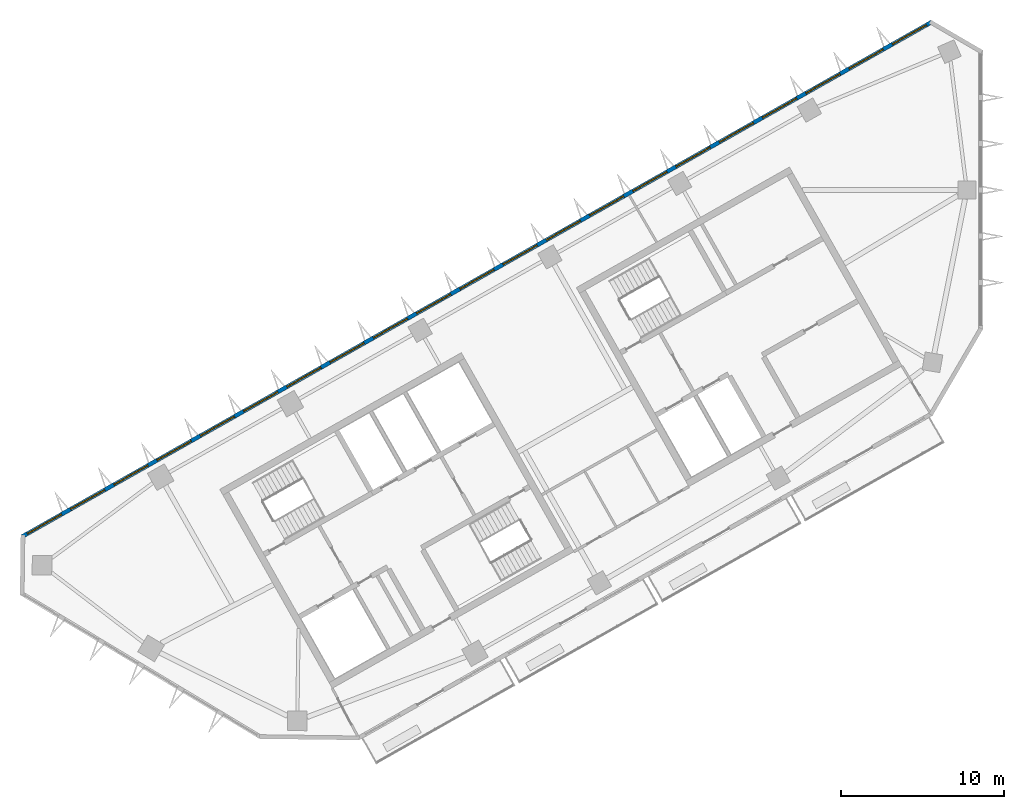
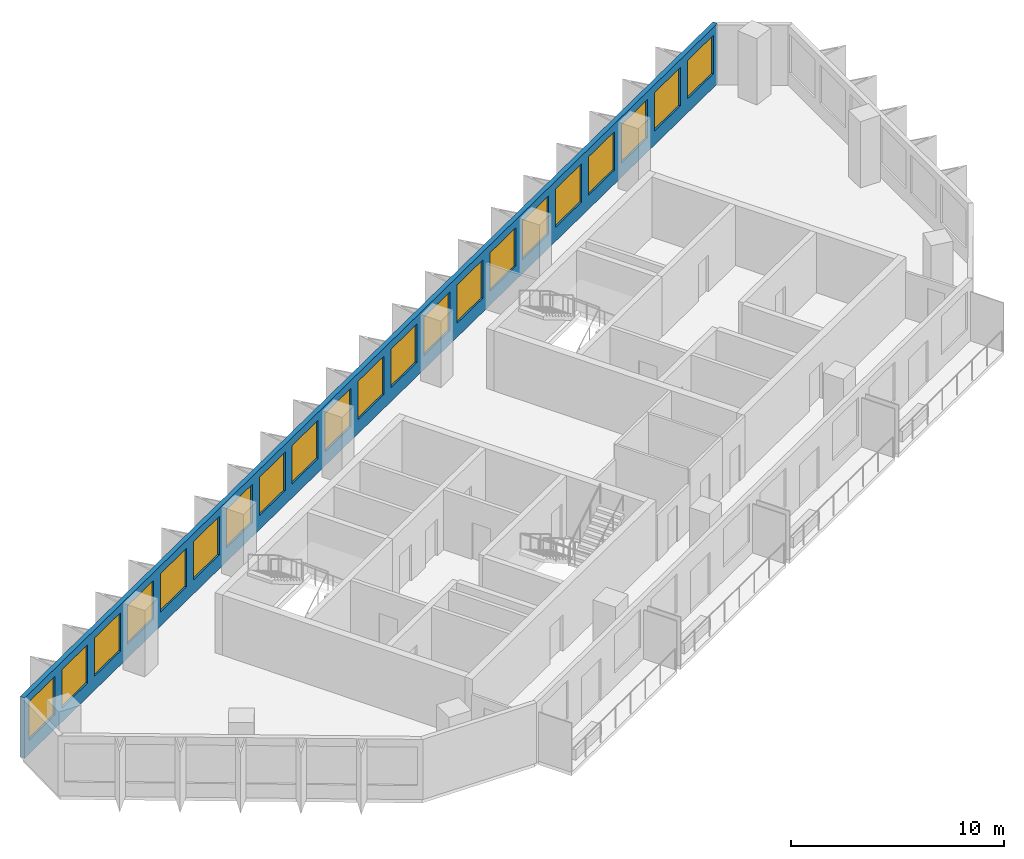
# One storey, part 3 of 8: 21 windows, 1 wall, 21 openings.
"""IFC4 building model written with IfcOpenShell, lengths in metres."""

from ifc_helpers import new_model, si_unit, direction, frame, frame_2d, origin, place, context, subcontext, project, spatial, rectangle, extrude, material, layer, layer_set, type_object, element, fill, save


model = new_model("IFC4")

# Units and contexts
model_context = context("Model", 3, precision=1e-05, world=origin(), true_north=direction((0.0, 1.0)))
body_context = subcontext(model_context, "Body", "Model", "MODEL_VIEW")
ifc_project = project(units=[si_unit("LENGTHUNIT", "METRE"), si_unit("AREAUNIT", "SQUARE_METRE"), si_unit("VOLUMEUNIT", "CUBIC_METRE"), si_unit("PLANEANGLEUNIT", "RADIAN"), si_unit("MASSUNIT", "GRAM", prefix="KILO")], contexts=[model_context])

# Site, building, storey
site_placement = place(None, origin())
site = spatial("IfcSite", under=ifc_project, at=site_placement, CompositionType="ELEMENT")
building_placement = place(site_placement, origin())
building = spatial("IfcBuilding", under=site, at=building_placement, Name="Binnacle Exchange Tower", CompositionType="ELEMENT")
storey_placement = place(building_placement, frame((0.0, 0.0, 308.300048828125)))
storey = spatial("IfcBuildingStorey", under=building, at=storey_placement, Name="L69", CompositionType="ELEMENT", Elevation=308.300048828125)

# Wall, openings, windows
ifc_material_1 = material(Name="Bronze aluminium cladding", Category="aluminium")
ifc_layer = layer(ifc_material_1, 0.25)
ifc_layer_set = layer_set([ifc_layer], Name="External wall - window wall 250")
wall_type = type_object("IfcWallType", Name="External wall - window wall 250", PredefinedType="STANDARD", material=ifc_layer_set)
wall_placement = place(storey_placement, frame((-58.732177734375, 38.770751953125, 0.0), z_axis=(0.0, 0.0, 1.0), x_axis=(0.870355615581, 0.492423702137, 0.0)))
wall = element("IfcWall", 1, at=wall_placement, inside=storey, type_object=wall_type, Name="External wall EW-H03 L69", PredefinedType="STANDARD", context=body_context, shape_type="SweptSolid", body=[
    extrude(rectangle(XDim=64.052490234375, YDim=0.25, at=frame_2d((32.0263671875, 0.0))), origin(), (0.0, 0.0, 1.0), 3.449951171875),
])
opening_1_placement = place(wall_placement, frame((61.25927734375, 0.0, 0.800048828125)))
opening_1 = element("IfcOpeningElement", 2, at=opening_1_placement, cuts=wall, Name="Opening WR2", PredefinedType="OPENING", context=body_context, shape_type="SweptSolid", body=[
    extrude(rectangle(XDim=2.39990234375, YDim=2.199951171875, at=frame_2d((1.199951171875, 1.10009765625))), frame((0.0, 0.135009765625, 0.0), z_axis=(0.0, -1.0, 0.0), x_axis=(1.0, 0.0, 0.0)), (0.0, 0.0, 1.0), 0.27001953125),
])
opening_2_placement = place(wall_placement, frame((58.2158203125, 0.0, 0.800048828125)))
opening_2 = element("IfcOpeningElement", 3, at=opening_2_placement, cuts=wall, Name="Opening WR2", PredefinedType="OPENING", context=body_context, shape_type="SweptSolid", body=[
    extrude(rectangle(XDim=2.39990234375, YDim=2.199951171875, at=frame_2d((1.199951171875, 1.10009765625))), frame((0.0, 0.135009765625, 0.0), z_axis=(0.0, -1.0, 0.0), x_axis=(1.0, 0.0, 0.0)), (0.0, 0.0, 1.0), 0.27001953125),
])
opening_3_placement = place(wall_placement, frame((55.172607421875, 0.0, 0.800048828125)))
opening_3 = element("IfcOpeningElement", 4, at=opening_3_placement, cuts=wall, Name="Opening WR2", PredefinedType="OPENING", context=body_context, shape_type="SweptSolid", body=[
    extrude(rectangle(XDim=2.39990234375, YDim=2.199951171875, at=frame_2d((1.199951171875, 1.10009765625))), frame((0.0, 0.135009765625, 0.0), z_axis=(0.0, -1.0, 0.0), x_axis=(1.0, 0.0, 0.0)), (0.0, 0.0, 1.0), 0.27001953125),
])
opening_4_placement = place(wall_placement, frame((52.12939453125, 0.0, 0.800048828125)))
opening_4 = element("IfcOpeningElement", 5, at=opening_4_placement, cuts=wall, Name="Opening WR2", PredefinedType="OPENING", context=body_context, shape_type="SweptSolid", body=[
    extrude(rectangle(XDim=2.39990234375, YDim=2.199951171875, at=frame_2d((1.199951171875, 1.10009765625))), frame((0.0, 0.135009765625, 0.0), z_axis=(0.0, -1.0, 0.0), x_axis=(1.0, 0.0, 0.0)), (0.0, 0.0, 1.0), 0.27001953125),
])
opening_5_placement = place(wall_placement, frame((49.0859375, 0.0, 0.800048828125)))
opening_5 = element("IfcOpeningElement", 6, at=opening_5_placement, cuts=wall, Name="Opening WR2", PredefinedType="OPENING", context=body_context, shape_type="SweptSolid", body=[
    extrude(rectangle(XDim=2.39990234375, YDim=2.199951171875, at=frame_2d((1.199951171875, 1.10009765625))), frame((0.0, 0.135009765625, 0.0), z_axis=(0.0, -1.0, 0.0), x_axis=(1.0, 0.0, 0.0)), (0.0, 0.0, 1.0), 0.27001953125),
])
opening_6_placement = place(wall_placement, frame((46.042724609375, 0.0, 0.800048828125)))
opening_6 = element("IfcOpeningElement", 7, at=opening_6_placement, cuts=wall, Name="Opening WR2", PredefinedType="OPENING", context=body_context, shape_type="SweptSolid", body=[
    extrude(rectangle(XDim=2.39990234375, YDim=2.199951171875, at=frame_2d((1.199951171875, 1.10009765625))), frame((0.0, 0.135009765625, 0.0), z_axis=(0.0, -1.0, 0.0), x_axis=(1.0, 0.0, 0.0)), (0.0, 0.0, 1.0), 0.27001953125),
])
opening_7_placement = place(wall_placement, frame((42.99951171875, 0.0, 0.800048828125)))
opening_7 = element("IfcOpeningElement", 8, at=opening_7_placement, cuts=wall, Name="Opening WR2", PredefinedType="OPENING", context=body_context, shape_type="SweptSolid", body=[
    extrude(rectangle(XDim=2.39990234375, YDim=2.199951171875, at=frame_2d((1.199951171875, 1.10009765625))), frame((0.0, 0.135009765625, 0.0), z_axis=(0.0, -1.0, 0.0), x_axis=(1.0, 0.0, 0.0)), (0.0, 0.0, 1.0), 0.27001953125),
])
opening_8_placement = place(wall_placement, frame((39.956298828125, 0.0, 0.800048828125)))
opening_8 = element("IfcOpeningElement", 9, at=opening_8_placement, cuts=wall, Name="Opening WR2", PredefinedType="OPENING", context=body_context, shape_type="SweptSolid", body=[
    extrude(rectangle(XDim=2.39990234375, YDim=2.199951171875, at=frame_2d((1.199951171875, 1.10009765625))), frame((0.0, 0.135009765625, 0.0), z_axis=(0.0, -1.0, 0.0), x_axis=(1.0, 0.0, 0.0)), (0.0, 0.0, 1.0), 0.27001953125),
])
opening_9_placement = place(wall_placement, frame((36.912841796875, 0.0, 0.800048828125)))
opening_9 = element("IfcOpeningElement", 10, at=opening_9_placement, cuts=wall, Name="Opening WR2", PredefinedType="OPENING", context=body_context, shape_type="SweptSolid", body=[
    extrude(rectangle(XDim=2.39990234375, YDim=2.199951171875, at=frame_2d((1.199951171875, 1.10009765625))), frame((0.0, 0.135009765625, 0.0), z_axis=(0.0, -1.0, 0.0), x_axis=(1.0, 0.0, 0.0)), (0.0, 0.0, 1.0), 0.27001953125),
])
opening_10_placement = place(wall_placement, frame((33.86962890625, 0.0, 0.800048828125)))
opening_10 = element("IfcOpeningElement", 11, at=opening_10_placement, cuts=wall, Name="Opening WR2", PredefinedType="OPENING", context=body_context, shape_type="SweptSolid", body=[
    extrude(rectangle(XDim=2.39990234375, YDim=2.199951171875, at=frame_2d((1.199951171875, 1.10009765625))), frame((0.0, 0.135009765625, 0.0), z_axis=(0.0, -1.0, 0.0), x_axis=(1.0, 0.0, 0.0)), (0.0, 0.0, 1.0), 0.27001953125),
])
opening_11_placement = place(wall_placement, frame((30.826416015625, 0.0, 0.800048828125)))
opening_11 = element("IfcOpeningElement", 12, at=opening_11_placement, cuts=wall, Name="Opening WR2", PredefinedType="OPENING", context=body_context, shape_type="SweptSolid", body=[
    extrude(rectangle(XDim=2.39990234375, YDim=2.199951171875, at=frame_2d((1.199951171875, 1.10009765625))), frame((0.0, 0.135009765625, 0.0), z_axis=(0.0, -1.0, 0.0), x_axis=(1.0, 0.0, 0.0)), (0.0, 0.0, 1.0), 0.27001953125),
])
opening_12_placement = place(wall_placement, frame((27.782958984375, 0.0, 0.800048828125)))
opening_12 = element("IfcOpeningElement", 13, at=opening_12_placement, cuts=wall, Name="Opening WR2", PredefinedType="OPENING", context=body_context, shape_type="SweptSolid", body=[
    extrude(rectangle(XDim=2.39990234375, YDim=2.199951171875, at=frame_2d((1.199951171875, 1.10009765625))), frame((0.0, 0.135009765625, 0.0), z_axis=(0.0, -1.0, 0.0), x_axis=(1.0, 0.0, 0.0)), (0.0, 0.0, 1.0), 0.27001953125),
])
opening_13_placement = place(wall_placement, frame((24.73974609375, 0.0, 0.800048828125)))
opening_13 = element("IfcOpeningElement", 14, at=opening_13_placement, cuts=wall, Name="Opening WR2", PredefinedType="OPENING", context=body_context, shape_type="SweptSolid", body=[
    extrude(rectangle(XDim=2.39990234375, YDim=2.199951171875, at=frame_2d((1.199951171875, 1.10009765625))), frame((0.0, 0.135009765625, 0.0), z_axis=(0.0, -1.0, 0.0), x_axis=(1.0, 0.0, 0.0)), (0.0, 0.0, 1.0), 0.27001953125),
])
opening_14_placement = place(wall_placement, frame((21.6962890625, 0.0, 0.800048828125)))
opening_14 = element("IfcOpeningElement", 15, at=opening_14_placement, cuts=wall, Name="Opening WR2", PredefinedType="OPENING", context=body_context, shape_type="SweptSolid", body=[
    extrude(rectangle(XDim=2.39990234375, YDim=2.199951171875, at=frame_2d((1.199951171875, 1.10009765625))), frame((0.0, 0.135009765625, 0.0), z_axis=(0.0, -1.0, 0.0), x_axis=(1.0, 0.0, 0.0)), (0.0, 0.0, 1.0), 0.27001953125),
])
opening_15_placement = place(wall_placement, frame((18.6533203125, 0.0, 0.800048828125)))
opening_15 = element("IfcOpeningElement", 16, at=opening_15_placement, cuts=wall, Name="Opening WR2", PredefinedType="OPENING", context=body_context, shape_type="SweptSolid", body=[
    extrude(rectangle(XDim=2.39990234375, YDim=2.199951171875, at=frame_2d((1.199951171875, 1.10009765625))), frame((0.0, 0.135009765625, 0.0), z_axis=(0.0, -1.0, 0.0), x_axis=(1.0, 0.0, 0.0)), (0.0, 0.0, 1.0), 0.27001953125),
])
opening_16_placement = place(wall_placement, frame((15.60986328125, 0.0, 0.800048828125)))
opening_16 = element("IfcOpeningElement", 17, at=opening_16_placement, cuts=wall, Name="Opening WR2", PredefinedType="OPENING", context=body_context, shape_type="SweptSolid", body=[
    extrude(rectangle(XDim=2.39990234375, YDim=2.199951171875, at=frame_2d((1.199951171875, 1.10009765625))), frame((0.0, 0.135009765625, 0.0), z_axis=(0.0, -1.0, 0.0), x_axis=(1.0, 0.0, 0.0)), (0.0, 0.0, 1.0), 0.27001953125),
])
opening_17_placement = place(wall_placement, frame((12.566650390625, 0.0, 0.800048828125)))
opening_17 = element("IfcOpeningElement", 18, at=opening_17_placement, cuts=wall, Name="Opening WR2", PredefinedType="OPENING", context=body_context, shape_type="SweptSolid", body=[
    extrude(rectangle(XDim=2.39990234375, YDim=2.199951171875, at=frame_2d((1.199951171875, 1.10009765625))), frame((0.0, 0.135009765625, 0.0), z_axis=(0.0, -1.0, 0.0), x_axis=(1.0, 0.0, 0.0)), (0.0, 0.0, 1.0), 0.27001953125),
])
opening_18_placement = place(wall_placement, frame((9.523193359375, 0.0, 0.800048828125)))
opening_18 = element("IfcOpeningElement", 19, at=opening_18_placement, cuts=wall, Name="Opening WR2", PredefinedType="OPENING", context=body_context, shape_type="SweptSolid", body=[
    extrude(rectangle(XDim=2.39990234375, YDim=2.199951171875, at=frame_2d((1.199951171875, 1.10009765625))), frame((0.0, 0.135009765625, 0.0), z_axis=(0.0, -1.0, 0.0), x_axis=(1.0, 0.0, 0.0)), (0.0, 0.0, 1.0), 0.27001953125),
])
opening_19_placement = place(wall_placement, frame((6.47998046875, 0.0, 0.800048828125)))
opening_19 = element("IfcOpeningElement", 20, at=opening_19_placement, cuts=wall, Name="Opening WR2", PredefinedType="OPENING", context=body_context, shape_type="SweptSolid", body=[
    extrude(rectangle(XDim=2.39990234375, YDim=2.199951171875, at=frame_2d((1.199951171875, 1.10009765625))), frame((0.0, 0.135009765625, 0.0), z_axis=(0.0, -1.0, 0.0), x_axis=(1.0, 0.0, 0.0)), (0.0, 0.0, 1.0), 0.27001953125),
])
opening_20_placement = place(wall_placement, frame((3.436767578125, 0.0, 0.800048828125)))
opening_20 = element("IfcOpeningElement", 21, at=opening_20_placement, cuts=wall, Name="Opening WR2", PredefinedType="OPENING", context=body_context, shape_type="SweptSolid", body=[
    extrude(rectangle(XDim=2.39990234375, YDim=2.199951171875, at=frame_2d((1.199951171875, 1.10009765625))), frame((0.0, 0.135009765625, 0.0), z_axis=(0.0, -1.0, 0.0), x_axis=(1.0, 0.0, 0.0)), (0.0, 0.0, 1.0), 0.27001953125),
])
opening_21_placement = place(wall_placement, frame((0.393310546875, 0.0, 0.800048828125)))
opening_21 = element("IfcOpeningElement", 22, at=opening_21_placement, cuts=wall, Name="Opening WR2", PredefinedType="OPENING", context=body_context, shape_type="SweptSolid", body=[
    extrude(rectangle(XDim=2.39990234375, YDim=2.199951171875, at=frame_2d((1.199951171875, 1.10009765625))), frame((0.0, 0.135009765625, 0.0), z_axis=(0.0, -1.0, 0.0), x_axis=(1.0, 0.0, 0.0)), (0.0, 0.0, 1.0), 0.27001953125),
])
ifc_material_2 = material(Name="Bronze anodised aluminium frame", Category="aluminium")
window_type = type_object("IfcWindowType", Name="WR2 WINDOW 2400x2200", PartitioningType="SINGLE_PANEL", PredefinedType="WINDOW", material=ifc_material_2)
window_1_placement = place(opening_1_placement, origin())
window_1 = element("IfcWindow", 23, at=window_1_placement, inside=storey, type_object=window_type, Name="Window WR2 L69", OverallHeight=2.199951171875, OverallWidth=2.39990234375, PartitioningType="SINGLE_PANEL", PredefinedType="WINDOW", context=body_context, shape_type="SweptSolid", body=[
    extrude(rectangle(XDim=2.39990234375, YDim=2.199951171875, at=frame_2d((1.199951171875, 1.10009765625))), frame((0.0, 0.030029296875, 0.0), z_axis=(0.0, -1.0, 0.0), x_axis=(1.0, 0.0, 0.0)), (0.0, 0.0, 1.0), 0.06005859375),
])
fill(opening_1, window_1)
window_2_placement = place(opening_2_placement, origin())
window_2 = element("IfcWindow", 24, at=window_2_placement, inside=storey, type_object=window_type, Name="Window WR2 L69", OverallHeight=2.199951171875, OverallWidth=2.39990234375, PartitioningType="SINGLE_PANEL", PredefinedType="WINDOW", context=body_context, shape_type="SweptSolid", body=[
    extrude(rectangle(XDim=2.39990234375, YDim=2.199951171875, at=frame_2d((1.199951171875, 1.10009765625))), frame((0.0, 0.030029296875, 0.0), z_axis=(0.0, -1.0, 0.0), x_axis=(1.0, 0.0, 0.0)), (0.0, 0.0, 1.0), 0.06005859375),
])
fill(opening_2, window_2)
window_3_placement = place(opening_3_placement, origin())
window_3 = element("IfcWindow", 25, at=window_3_placement, inside=storey, type_object=window_type, Name="Window WR2 L69", OverallHeight=2.199951171875, OverallWidth=2.39990234375, PartitioningType="SINGLE_PANEL", PredefinedType="WINDOW", context=body_context, shape_type="SweptSolid", body=[
    extrude(rectangle(XDim=2.39990234375, YDim=2.199951171875, at=frame_2d((1.199951171875, 1.10009765625))), frame((0.0, 0.030029296875, 0.0), z_axis=(0.0, -1.0, 0.0), x_axis=(1.0, 0.0, 0.0)), (0.0, 0.0, 1.0), 0.06005859375),
])
fill(opening_3, window_3)
window_4_placement = place(opening_4_placement, origin())
window_4 = element("IfcWindow", 26, at=window_4_placement, inside=storey, type_object=window_type, Name="Window WR2 L69", OverallHeight=2.199951171875, OverallWidth=2.39990234375, PartitioningType="SINGLE_PANEL", PredefinedType="WINDOW", context=body_context, shape_type="SweptSolid", body=[
    extrude(rectangle(XDim=2.39990234375, YDim=2.199951171875, at=frame_2d((1.199951171875, 1.10009765625))), frame((0.0, 0.030029296875, 0.0), z_axis=(0.0, -1.0, 0.0), x_axis=(1.0, 0.0, 0.0)), (0.0, 0.0, 1.0), 0.06005859375),
])
fill(opening_4, window_4)
window_5_placement = place(opening_5_placement, origin())
window_5 = element("IfcWindow", 27, at=window_5_placement, inside=storey, type_object=window_type, Name="Window WR2 L69", OverallHeight=2.199951171875, OverallWidth=2.39990234375, PartitioningType="SINGLE_PANEL", PredefinedType="WINDOW", context=body_context, shape_type="SweptSolid", body=[
    extrude(rectangle(XDim=2.39990234375, YDim=2.199951171875, at=frame_2d((1.199951171875, 1.10009765625))), frame((0.0, 0.030029296875, 0.0), z_axis=(0.0, -1.0, 0.0), x_axis=(1.0, 0.0, 0.0)), (0.0, 0.0, 1.0), 0.06005859375),
])
fill(opening_5, window_5)
window_6_placement = place(opening_6_placement, origin())
window_6 = element("IfcWindow", 28, at=window_6_placement, inside=storey, type_object=window_type, Name="Window WR2 L69", OverallHeight=2.199951171875, OverallWidth=2.39990234375, PartitioningType="SINGLE_PANEL", PredefinedType="WINDOW", context=body_context, shape_type="SweptSolid", body=[
    extrude(rectangle(XDim=2.39990234375, YDim=2.199951171875, at=frame_2d((1.199951171875, 1.10009765625))), frame((0.0, 0.030029296875, 0.0), z_axis=(0.0, -1.0, 0.0), x_axis=(1.0, 0.0, 0.0)), (0.0, 0.0, 1.0), 0.06005859375),
])
fill(opening_6, window_6)
window_7_placement = place(opening_7_placement, origin())
window_7 = element("IfcWindow", 29, at=window_7_placement, inside=storey, type_object=window_type, Name="Window WR2 L69", OverallHeight=2.199951171875, OverallWidth=2.39990234375, PartitioningType="SINGLE_PANEL", PredefinedType="WINDOW", context=body_context, shape_type="SweptSolid", body=[
    extrude(rectangle(XDim=2.39990234375, YDim=2.199951171875, at=frame_2d((1.199951171875, 1.10009765625))), frame((0.0, 0.030029296875, 0.0), z_axis=(0.0, -1.0, 0.0), x_axis=(1.0, 0.0, 0.0)), (0.0, 0.0, 1.0), 0.06005859375),
])
fill(opening_7, window_7)
window_8_placement = place(opening_8_placement, origin())
window_8 = element("IfcWindow", 30, at=window_8_placement, inside=storey, type_object=window_type, Name="Window WR2 L69", OverallHeight=2.199951171875, OverallWidth=2.39990234375, PartitioningType="SINGLE_PANEL", PredefinedType="WINDOW", context=body_context, shape_type="SweptSolid", body=[
    extrude(rectangle(XDim=2.39990234375, YDim=2.199951171875, at=frame_2d((1.199951171875, 1.10009765625))), frame((0.0, 0.030029296875, 0.0), z_axis=(0.0, -1.0, 0.0), x_axis=(1.0, 0.0, 0.0)), (0.0, 0.0, 1.0), 0.06005859375),
])
fill(opening_8, window_8)
window_9_placement = place(opening_9_placement, origin())
window_9 = element("IfcWindow", 31, at=window_9_placement, inside=storey, type_object=window_type, Name="Window WR2 L69", OverallHeight=2.199951171875, OverallWidth=2.39990234375, PartitioningType="SINGLE_PANEL", PredefinedType="WINDOW", context=body_context, shape_type="SweptSolid", body=[
    extrude(rectangle(XDim=2.39990234375, YDim=2.199951171875, at=frame_2d((1.199951171875, 1.10009765625))), frame((0.0, 0.030029296875, 0.0), z_axis=(0.0, -1.0, 0.0), x_axis=(1.0, 0.0, 0.0)), (0.0, 0.0, 1.0), 0.06005859375),
])
fill(opening_9, window_9)
window_10_placement = place(opening_10_placement, origin())
window_10 = element("IfcWindow", 32, at=window_10_placement, inside=storey, type_object=window_type, Name="Window WR2 L69", OverallHeight=2.199951171875, OverallWidth=2.39990234375, PartitioningType="SINGLE_PANEL", PredefinedType="WINDOW", context=body_context, shape_type="SweptSolid", body=[
    extrude(rectangle(XDim=2.39990234375, YDim=2.199951171875, at=frame_2d((1.199951171875, 1.10009765625))), frame((0.0, 0.030029296875, 0.0), z_axis=(0.0, -1.0, 0.0), x_axis=(1.0, 0.0, 0.0)), (0.0, 0.0, 1.0), 0.06005859375),
])
fill(opening_10, window_10)
window_11_placement = place(opening_11_placement, origin())
window_11 = element("IfcWindow", 33, at=window_11_placement, inside=storey, type_object=window_type, Name="Window WR2 L69", OverallHeight=2.199951171875, OverallWidth=2.39990234375, PartitioningType="SINGLE_PANEL", PredefinedType="WINDOW", context=body_context, shape_type="SweptSolid", body=[
    extrude(rectangle(XDim=2.39990234375, YDim=2.199951171875, at=frame_2d((1.199951171875, 1.10009765625))), frame((0.0, 0.030029296875, 0.0), z_axis=(0.0, -1.0, 0.0), x_axis=(1.0, 0.0, 0.0)), (0.0, 0.0, 1.0), 0.06005859375),
])
fill(opening_11, window_11)
window_12_placement = place(opening_12_placement, origin())
window_12 = element("IfcWindow", 34, at=window_12_placement, inside=storey, type_object=window_type, Name="Window WR2 L69", OverallHeight=2.199951171875, OverallWidth=2.39990234375, PartitioningType="SINGLE_PANEL", PredefinedType="WINDOW", context=body_context, shape_type="SweptSolid", body=[
    extrude(rectangle(XDim=2.39990234375, YDim=2.199951171875, at=frame_2d((1.199951171875, 1.10009765625))), frame((0.0, 0.030029296875, 0.0), z_axis=(0.0, -1.0, 0.0), x_axis=(1.0, 0.0, 0.0)), (0.0, 0.0, 1.0), 0.06005859375),
])
fill(opening_12, window_12)
window_13_placement = place(opening_13_placement, origin())
window_13 = element("IfcWindow", 35, at=window_13_placement, inside=storey, type_object=window_type, Name="Window WR2 L69", OverallHeight=2.199951171875, OverallWidth=2.39990234375, PartitioningType="SINGLE_PANEL", PredefinedType="WINDOW", context=body_context, shape_type="SweptSolid", body=[
    extrude(rectangle(XDim=2.39990234375, YDim=2.199951171875, at=frame_2d((1.199951171875, 1.10009765625))), frame((0.0, 0.030029296875, 0.0), z_axis=(0.0, -1.0, 0.0), x_axis=(1.0, 0.0, 0.0)), (0.0, 0.0, 1.0), 0.06005859375),
])
fill(opening_13, window_13)
window_14_placement = place(opening_14_placement, origin())
window_14 = element("IfcWindow", 36, at=window_14_placement, inside=storey, type_object=window_type, Name="Window WR2 L69", OverallHeight=2.199951171875, OverallWidth=2.39990234375, PartitioningType="SINGLE_PANEL", PredefinedType="WINDOW", context=body_context, shape_type="SweptSolid", body=[
    extrude(rectangle(XDim=2.39990234375, YDim=2.199951171875, at=frame_2d((1.199951171875, 1.10009765625))), frame((0.0, 0.030029296875, 0.0), z_axis=(0.0, -1.0, 0.0), x_axis=(1.0, 0.0, 0.0)), (0.0, 0.0, 1.0), 0.06005859375),
])
fill(opening_14, window_14)
window_15_placement = place(opening_15_placement, origin())
window_15 = element("IfcWindow", 37, at=window_15_placement, inside=storey, type_object=window_type, Name="Window WR2 L69", OverallHeight=2.199951171875, OverallWidth=2.39990234375, PartitioningType="SINGLE_PANEL", PredefinedType="WINDOW", context=body_context, shape_type="SweptSolid", body=[
    extrude(rectangle(XDim=2.39990234375, YDim=2.199951171875, at=frame_2d((1.199951171875, 1.10009765625))), frame((0.0, 0.030029296875, 0.0), z_axis=(0.0, -1.0, 0.0), x_axis=(1.0, 0.0, 0.0)), (0.0, 0.0, 1.0), 0.06005859375),
])
fill(opening_15, window_15)
window_16_placement = place(opening_16_placement, origin())
window_16 = element("IfcWindow", 38, at=window_16_placement, inside=storey, type_object=window_type, Name="Window WR2 L69", OverallHeight=2.199951171875, OverallWidth=2.39990234375, PartitioningType="SINGLE_PANEL", PredefinedType="WINDOW", context=body_context, shape_type="SweptSolid", body=[
    extrude(rectangle(XDim=2.39990234375, YDim=2.199951171875, at=frame_2d((1.199951171875, 1.10009765625))), frame((0.0, 0.030029296875, 0.0), z_axis=(0.0, -1.0, 0.0), x_axis=(1.0, 0.0, 0.0)), (0.0, 0.0, 1.0), 0.06005859375),
])
fill(opening_16, window_16)
window_17_placement = place(opening_17_placement, origin())
window_17 = element("IfcWindow", 39, at=window_17_placement, inside=storey, type_object=window_type, Name="Window WR2 L69", OverallHeight=2.199951171875, OverallWidth=2.39990234375, PartitioningType="SINGLE_PANEL", PredefinedType="WINDOW", context=body_context, shape_type="SweptSolid", body=[
    extrude(rectangle(XDim=2.39990234375, YDim=2.199951171875, at=frame_2d((1.199951171875, 1.10009765625))), frame((0.0, 0.030029296875, 0.0), z_axis=(0.0, -1.0, 0.0), x_axis=(1.0, 0.0, 0.0)), (0.0, 0.0, 1.0), 0.06005859375),
])
fill(opening_17, window_17)
window_18_placement = place(opening_18_placement, origin())
window_18 = element("IfcWindow", 40, at=window_18_placement, inside=storey, type_object=window_type, Name="Window WR2 L69", OverallHeight=2.199951171875, OverallWidth=2.39990234375, PartitioningType="SINGLE_PANEL", PredefinedType="WINDOW", context=body_context, shape_type="SweptSolid", body=[
    extrude(rectangle(XDim=2.39990234375, YDim=2.199951171875, at=frame_2d((1.199951171875, 1.10009765625))), frame((0.0, 0.030029296875, 0.0), z_axis=(0.0, -1.0, 0.0), x_axis=(1.0, 0.0, 0.0)), (0.0, 0.0, 1.0), 0.06005859375),
])
fill(opening_18, window_18)
window_19_placement = place(opening_19_placement, origin())
window_19 = element("IfcWindow", 41, at=window_19_placement, inside=storey, type_object=window_type, Name="Window WR2 L69", OverallHeight=2.199951171875, OverallWidth=2.39990234375, PartitioningType="SINGLE_PANEL", PredefinedType="WINDOW", context=body_context, shape_type="SweptSolid", body=[
    extrude(rectangle(XDim=2.39990234375, YDim=2.199951171875, at=frame_2d((1.199951171875, 1.10009765625))), frame((0.0, 0.030029296875, 0.0), z_axis=(0.0, -1.0, 0.0), x_axis=(1.0, 0.0, 0.0)), (0.0, 0.0, 1.0), 0.06005859375),
])
fill(opening_19, window_19)
window_20_placement = place(opening_20_placement, origin())
window_20 = element("IfcWindow", 42, at=window_20_placement, inside=storey, type_object=window_type, Name="Window WR2 L69", OverallHeight=2.199951171875, OverallWidth=2.39990234375, PartitioningType="SINGLE_PANEL", PredefinedType="WINDOW", context=body_context, shape_type="SweptSolid", body=[
    extrude(rectangle(XDim=2.39990234375, YDim=2.199951171875, at=frame_2d((1.199951171875, 1.10009765625))), frame((0.0, 0.030029296875, 0.0), z_axis=(0.0, -1.0, 0.0), x_axis=(1.0, 0.0, 0.0)), (0.0, 0.0, 1.0), 0.06005859375),
])
fill(opening_20, window_20)
window_21_placement = place(opening_21_placement, origin())
window_21 = element("IfcWindow", 43, at=window_21_placement, inside=storey, type_object=window_type, Name="Window WR2 L69", OverallHeight=2.199951171875, OverallWidth=2.39990234375, PartitioningType="SINGLE_PANEL", PredefinedType="WINDOW", context=body_context, shape_type="SweptSolid", body=[
    extrude(rectangle(XDim=2.39990234375, YDim=2.199951171875, at=frame_2d((1.199951171875, 1.10009765625))), frame((0.0, 0.030029296875, 0.0), z_axis=(0.0, -1.0, 0.0), x_axis=(1.0, 0.0, 0.0)), (0.0, 0.0, 1.0), 0.06005859375),
])
fill(opening_21, window_21)

save(model, "model.ifc")
